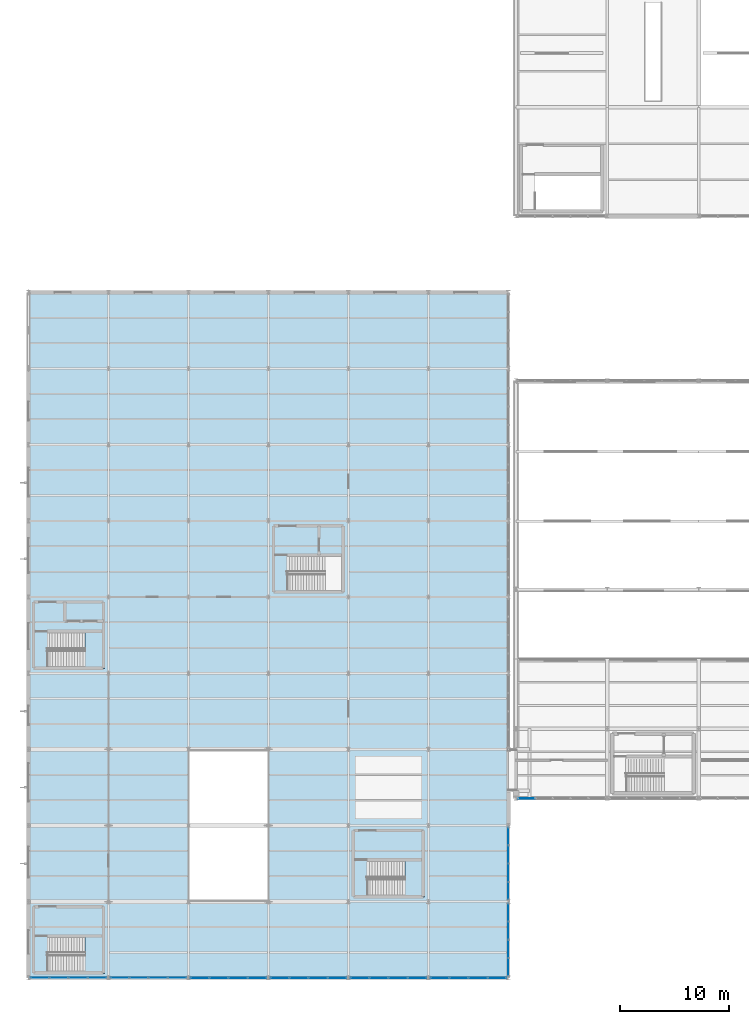
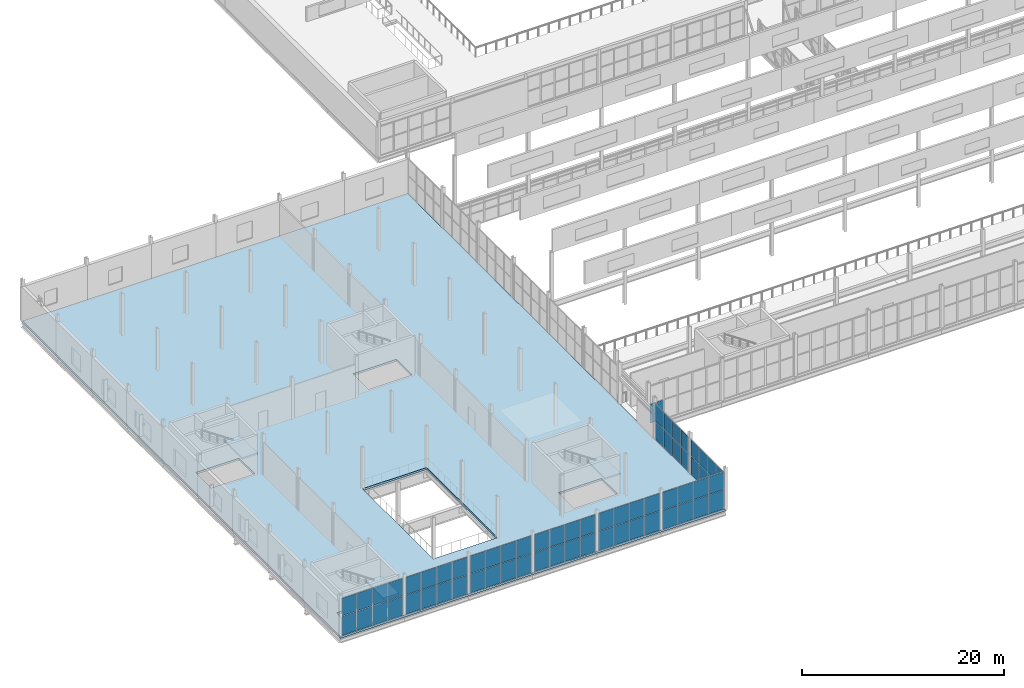
# One storey, part 178 of 218: 65 plates, 4 slabs, 12 elements without a shape of their own.
"""IFC4 building model written with IfcOpenShell, lengths in metres."""

from ifc_helpers import new_model, si_unit, direction, frame, origin, origin_2d, place, context, subcontext, project, spatial, polyline, rectangle, outline, extrude, material, layer, layer_set, type_object, element, aggregate, save


model = new_model("IFC4")

# Units and contexts
model_context = context("Model", 3, precision=1e-05, world=origin(), true_north=direction((0.0, 1.0)))
body_context = subcontext(model_context, "Body", "Model", "MODEL_VIEW")
ifc_project = project(units=[si_unit("LENGTHUNIT", "METRE"), si_unit("AREAUNIT", "SQUARE_METRE"), si_unit("VOLUMEUNIT", "CUBIC_METRE"), si_unit("PLANEANGLEUNIT", "RADIAN"), si_unit("MASSUNIT", "GRAM", prefix="KILO")], contexts=[model_context])

# Site, building, storey
site_placement = place(None, origin())
site = spatial("IfcSite", under=ifc_project, at=site_placement, CompositionType="ELEMENT")
building_placement = place(site_placement, origin())
building = spatial("IfcBuilding", under=site, at=building_placement, Name="Kazenagashi Tramway Depot", CompositionType="ELEMENT")
storey_placement = place(building_placement, frame((0.0, 0.0, 6.0)))
storey = spatial("IfcBuildingStorey", under=building, at=storey_placement, Name="L02", CompositionType="ELEMENT", Elevation=6.0)

# Curtain wall, plates
ifc_material_1 = material(Name="Anodised Aluminium and Low-E Glazing", Category="aluminium")
curtain_wall_type_1 = type_object("IfcCurtainWallType", Name="CW-34", PredefinedType="USERDEFINED", material=ifc_material_1)
curtain_wall_1_placement = place(storey_placement, origin())
curtain_wall_1 = element("IfcCurtainWall", 1, at=curtain_wall_1_placement, inside=storey, type_object=curtain_wall_type_1, Name="Industrial Glazed Screen CW-34 CW-0181", ObjectType="GLAZED SCREEN", PredefinedType="USERDEFINED")
ifc_material_2 = material(Name="Tempered Laminated Low-E Glass", Category="glass")
ifc_layer_1 = layer(ifc_material_2, 0.024)
ifc_layer_set_1 = layer_set([ifc_layer_1], Name="Tempered Laminated Low-E Glass")
plate_type_1 = type_object("IfcPlateType", Name="GL-05", PredefinedType="CURTAIN_PANEL", material=ifc_layer_set_1)
plate_1_placement = place(storey_placement, frame((44.1, 0.995, 0.06), z_axis=(0.0, 0.0, 1.0), x_axis=(0.0, 1.0, 0.0)))
plate_1 = element("IfcPlate", 2, at=plate_1_placement, type_object=plate_type_1, Name="CW-34 panel 1.1", PredefinedType="CURTAIN_PANEL", context=body_context, shape_type="SweptSolid", body=[
    extrude(rectangle(XDim=1.59, YDim=0.024, at=origin_2d()), origin(), (0.0, 0.0, 1.0), 2.178),
])
plate_2_placement = place(storey_placement, frame((44.1, 0.995, 2.298), z_axis=(0.0, 0.0, 1.0), x_axis=(0.0, 1.0, 0.0)))
plate_2 = element("IfcPlate", 3, at=plate_2_placement, type_object=plate_type_1, Name="CW-34 panel 1.2", PredefinedType="CURTAIN_PANEL", context=body_context, shape_type="SweptSolid", body=[
    extrude(rectangle(XDim=1.59, YDim=0.024, at=origin_2d()), origin(), (0.0, 0.0, 1.0), 2.004),
])
plate_3_placement = place(storey_placement, frame((44.1, 2.66, 0.06), z_axis=(0.0, 0.0, 1.0), x_axis=(0.0, 1.0, 0.0)))
plate_3 = element("IfcPlate", 4, at=plate_3_placement, type_object=plate_type_1, Name="CW-34 panel 2.1", PredefinedType="CURTAIN_PANEL", context=body_context, shape_type="SweptSolid", body=[
    extrude(rectangle(XDim=1.62, YDim=0.024, at=origin_2d()), origin(), (0.0, 0.0, 1.0), 2.178),
])
plate_4_placement = place(storey_placement, frame((44.1, 2.66, 2.298), z_axis=(0.0, 0.0, 1.0), x_axis=(0.0, 1.0, 0.0)))
plate_4 = element("IfcPlate", 5, at=plate_4_placement, type_object=plate_type_1, Name="CW-34 panel 2.2", PredefinedType="CURTAIN_PANEL", context=body_context, shape_type="SweptSolid", body=[
    extrude(rectangle(XDim=1.62, YDim=0.024, at=origin_2d()), origin(), (0.0, 0.0, 1.0), 2.004),
])
plate_5_placement = place(storey_placement, frame((44.1, 4.34, 0.06), z_axis=(0.0, 0.0, 1.0), x_axis=(0.0, 1.0, 0.0)))
plate_5 = element("IfcPlate", 6, at=plate_5_placement, type_object=plate_type_1, Name="CW-34 panel 3.1", PredefinedType="CURTAIN_PANEL", context=body_context, shape_type="SweptSolid", body=[
    extrude(rectangle(XDim=1.62, YDim=0.024, at=origin_2d()), origin(), (0.0, 0.0, 1.0), 2.178),
])
plate_6_placement = place(storey_placement, frame((44.1, 4.34, 2.298), z_axis=(0.0, 0.0, 1.0), x_axis=(0.0, 1.0, 0.0)))
plate_6 = element("IfcPlate", 7, at=plate_6_placement, type_object=plate_type_1, Name="CW-34 panel 3.2", PredefinedType="CURTAIN_PANEL", context=body_context, shape_type="SweptSolid", body=[
    extrude(rectangle(XDim=1.62, YDim=0.024, at=origin_2d()), origin(), (0.0, 0.0, 1.0), 2.004),
])
plate_7_placement = place(storey_placement, frame((44.1, 6.005, 0.06), z_axis=(0.0, 0.0, 1.0), x_axis=(0.0, 1.0, 0.0)))
plate_7 = element("IfcPlate", 8, at=plate_7_placement, type_object=plate_type_1, Name="CW-34 panel 4.1", PredefinedType="CURTAIN_PANEL", context=body_context, shape_type="SweptSolid", body=[
    extrude(rectangle(XDim=1.59, YDim=0.024, at=origin_2d()), origin(), (0.0, 0.0, 1.0), 2.178),
])
plate_8_placement = place(storey_placement, frame((44.1, 6.005, 2.298), z_axis=(0.0, 0.0, 1.0), x_axis=(0.0, 1.0, 0.0)))
plate_8 = element("IfcPlate", 9, at=plate_8_placement, type_object=plate_type_1, Name="CW-34 panel 4.2", PredefinedType="CURTAIN_PANEL", context=body_context, shape_type="SweptSolid", body=[
    extrude(rectangle(XDim=1.59, YDim=0.024, at=origin_2d()), origin(), (0.0, 0.0, 1.0), 2.004),
])
aggregate(curtain_wall_1, [plate_1, plate_2, plate_3, plate_4, plate_5, plate_6, plate_7, plate_8])

curtain_wall_type_2 = type_object("IfcCurtainWallType", Name="CW-25", PredefinedType="USERDEFINED", material=ifc_material_1)
curtain_wall_2_placement = place(storey_placement, origin())
curtain_wall_2 = element("IfcCurtainWall", 10, at=curtain_wall_2_placement, inside=storey, type_object=curtain_wall_type_2, Name="Industrial Glazed Screen CW-25 CW-0135", ObjectType="GLAZED SCREEN", PredefinedType="USERDEFINED")
ifc_layer_2 = layer(ifc_material_2, 0.028)
ifc_layer_set_2 = layer_set([ifc_layer_2], Name="Tempered Laminated Low-E Glass")
plate_type_2 = type_object("IfcPlateType", Name="GL-07", PredefinedType="CURTAIN_PANEL", material=ifc_layer_set_2)
plate_9_placement = place(storey_placement, frame((1.03875, 0.0, 0.06), z_axis=(0.0, 0.0, 1.0), x_axis=(1.0, 0.0, 0.0)))
plate_9 = element("IfcPlate", 11, at=plate_9_placement, type_object=plate_type_2, Name="CW-25 panel 1.1", PredefinedType="CURTAIN_PANEL", context=body_context, shape_type="SweptSolid", body=[
    extrude(rectangle(XDim=1.6775, YDim=0.028, at=origin_2d()), origin(), (0.0, 0.0, 1.0), 2.302),
])
plate_10_placement = place(storey_placement, frame((1.03875, 0.0, 2.422), z_axis=(0.0, 0.0, 1.0), x_axis=(1.0, 0.0, 0.0)))
plate_10 = element("IfcPlate", 12, at=plate_10_placement, type_object=plate_type_2, Name="CW-25 panel 1.2", PredefinedType="CURTAIN_PANEL", context=body_context, shape_type="SweptSolid", body=[
    extrude(rectangle(XDim=1.6775, YDim=0.028, at=origin_2d()), origin(), (0.0, 0.0, 1.0), 2.118),
])
plate_11_placement = place(storey_placement, frame((2.79125, 0.0, 0.06), z_axis=(0.0, 0.0, 1.0), x_axis=(1.0, 0.0, 0.0)))
plate_11 = element("IfcPlate", 13, at=plate_11_placement, type_object=plate_type_2, Name="CW-25 panel 2.1", PredefinedType="CURTAIN_PANEL", context=body_context, shape_type="SweptSolid", body=[
    extrude(rectangle(XDim=1.7075, YDim=0.028, at=origin_2d()), origin(), (0.0, 0.0, 1.0), 2.302),
])
plate_12_placement = place(storey_placement, frame((2.79125, 0.0, 2.422), z_axis=(0.0, 0.0, 1.0), x_axis=(1.0, 0.0, 0.0)))
plate_12 = element("IfcPlate", 14, at=plate_12_placement, type_object=plate_type_2, Name="CW-25 panel 2.2", PredefinedType="CURTAIN_PANEL", context=body_context, shape_type="SweptSolid", body=[
    extrude(rectangle(XDim=1.7075, YDim=0.028, at=origin_2d()), origin(), (0.0, 0.0, 1.0), 2.118),
])
plate_13_placement = place(storey_placement, frame((4.55875, 0.0, 0.06), z_axis=(0.0, 0.0, 1.0), x_axis=(1.0, 0.0, 0.0)))
plate_13 = element("IfcPlate", 15, at=plate_13_placement, type_object=plate_type_2, Name="CW-25 panel 3.1", PredefinedType="CURTAIN_PANEL", context=body_context, shape_type="SweptSolid", body=[
    extrude(rectangle(XDim=1.7075, YDim=0.028, at=origin_2d()), origin(), (0.0, 0.0, 1.0), 2.302),
])
plate_14_placement = place(storey_placement, frame((4.55875, 0.0, 2.422), z_axis=(0.0, 0.0, 1.0), x_axis=(1.0, 0.0, 0.0)))
plate_14 = element("IfcPlate", 16, at=plate_14_placement, type_object=plate_type_2, Name="CW-25 panel 3.2", PredefinedType="CURTAIN_PANEL", context=body_context, shape_type="SweptSolid", body=[
    extrude(rectangle(XDim=1.7075, YDim=0.028, at=origin_2d()), origin(), (0.0, 0.0, 1.0), 2.118),
])
plate_15_placement = place(storey_placement, frame((6.31125, 0.0, 0.06), z_axis=(0.0, 0.0, 1.0), x_axis=(1.0, 0.0, 0.0)))
plate_15 = element("IfcPlate", 17, at=plate_15_placement, type_object=plate_type_2, Name="CW-25 panel 4.1", PredefinedType="CURTAIN_PANEL", context=body_context, shape_type="SweptSolid", body=[
    extrude(rectangle(XDim=1.6775, YDim=0.028, at=origin_2d()), origin(), (0.0, 0.0, 1.0), 2.302),
])
plate_16_placement = place(storey_placement, frame((6.31125, 0.0, 2.422), z_axis=(0.0, 0.0, 1.0), x_axis=(1.0, 0.0, 0.0)))
plate_16 = element("IfcPlate", 18, at=plate_16_placement, type_object=plate_type_2, Name="CW-25 panel 4.2", PredefinedType="CURTAIN_PANEL", context=body_context, shape_type="SweptSolid", body=[
    extrude(rectangle(XDim=1.6775, YDim=0.028, at=origin_2d()), origin(), (0.0, 0.0, 1.0), 2.118),
])
aggregate(curtain_wall_2, [plate_9, plate_10, plate_11, plate_12, plate_13, plate_14, plate_15, plate_16])

curtain_wall_3_placement = place(storey_placement, origin())
curtain_wall_3 = element("IfcCurtainWall", 19, at=curtain_wall_3_placement, inside=storey, type_object=curtain_wall_type_1, Name="Industrial Glazed Screen CW-34 CW-0183", ObjectType="GLAZED SCREEN", PredefinedType="USERDEFINED")
plate_17_placement = place(storey_placement, frame((44.1, 7.995, 0.06), z_axis=(0.0, 0.0, 1.0), x_axis=(0.0, 1.0, 0.0)))
plate_17 = element("IfcPlate", 20, at=plate_17_placement, type_object=plate_type_2, Name="CW-34 panel 1.1", PredefinedType="CURTAIN_PANEL", context=body_context, shape_type="SweptSolid", body=[
    extrude(rectangle(XDim=1.59, YDim=0.028, at=origin_2d()), origin(), (0.0, 0.0, 1.0), 2.178),
])
plate_18_placement = place(storey_placement, frame((44.1, 7.995, 2.298), z_axis=(0.0, 0.0, 1.0), x_axis=(0.0, 1.0, 0.0)))
plate_18 = element("IfcPlate", 21, at=plate_18_placement, type_object=plate_type_2, Name="CW-34 panel 1.2", PredefinedType="CURTAIN_PANEL", context=body_context, shape_type="SweptSolid", body=[
    extrude(rectangle(XDim=1.59, YDim=0.028, at=origin_2d()), origin(), (0.0, 0.0, 1.0), 2.004),
])
plate_19_placement = place(storey_placement, frame((44.1, 9.66, 0.06), z_axis=(0.0, 0.0, 1.0), x_axis=(0.0, 1.0, 0.0)))
plate_19 = element("IfcPlate", 22, at=plate_19_placement, type_object=plate_type_2, Name="CW-34 panel 2.1", PredefinedType="CURTAIN_PANEL", context=body_context, shape_type="SweptSolid", body=[
    extrude(rectangle(XDim=1.62, YDim=0.028, at=origin_2d()), origin(), (0.0, 0.0, 1.0), 2.178),
])
plate_20_placement = place(storey_placement, frame((44.1, 9.66, 2.298), z_axis=(0.0, 0.0, 1.0), x_axis=(0.0, 1.0, 0.0)))
plate_20 = element("IfcPlate", 23, at=plate_20_placement, type_object=plate_type_2, Name="CW-34 panel 2.2", PredefinedType="CURTAIN_PANEL", context=body_context, shape_type="SweptSolid", body=[
    extrude(rectangle(XDim=1.62, YDim=0.028, at=origin_2d()), origin(), (0.0, 0.0, 1.0), 2.004),
])
plate_21_placement = place(storey_placement, frame((44.1, 11.34, 0.06), z_axis=(0.0, 0.0, 1.0), x_axis=(0.0, 1.0, 0.0)))
plate_21 = element("IfcPlate", 24, at=plate_21_placement, type_object=plate_type_2, Name="CW-34 panel 3.1", PredefinedType="CURTAIN_PANEL", context=body_context, shape_type="SweptSolid", body=[
    extrude(rectangle(XDim=1.62, YDim=0.028, at=origin_2d()), origin(), (0.0, 0.0, 1.0), 2.178),
])
plate_22_placement = place(storey_placement, frame((44.1, 11.34, 2.298), z_axis=(0.0, 0.0, 1.0), x_axis=(0.0, 1.0, 0.0)))
plate_22 = element("IfcPlate", 25, at=plate_22_placement, type_object=plate_type_2, Name="CW-34 panel 3.2", PredefinedType="CURTAIN_PANEL", context=body_context, shape_type="SweptSolid", body=[
    extrude(rectangle(XDim=1.62, YDim=0.028, at=origin_2d()), origin(), (0.0, 0.0, 1.0), 2.004),
])
plate_23_placement = place(storey_placement, frame((44.1, 13.005, 0.06), z_axis=(0.0, 0.0, 1.0), x_axis=(0.0, 1.0, 0.0)))
plate_23 = element("IfcPlate", 26, at=plate_23_placement, type_object=plate_type_2, Name="CW-34 panel 4.1", PredefinedType="CURTAIN_PANEL", context=body_context, shape_type="SweptSolid", body=[
    extrude(rectangle(XDim=1.59, YDim=0.028, at=origin_2d()), origin(), (0.0, 0.0, 1.0), 2.178),
])
plate_24_placement = place(storey_placement, frame((44.1, 13.005, 2.298), z_axis=(0.0, 0.0, 1.0), x_axis=(0.0, 1.0, 0.0)))
plate_24 = element("IfcPlate", 27, at=plate_24_placement, type_object=plate_type_2, Name="CW-34 panel 4.2", PredefinedType="CURTAIN_PANEL", context=body_context, shape_type="SweptSolid", body=[
    extrude(rectangle(XDim=1.59, YDim=0.028, at=origin_2d()), origin(), (0.0, 0.0, 1.0), 2.004),
])
aggregate(curtain_wall_3, [plate_17, plate_18, plate_19, plate_20, plate_21, plate_22, plate_23, plate_24])

curtain_wall_4_placement = place(storey_placement, origin())
curtain_wall_4 = element("IfcCurtainWall", 28, at=curtain_wall_4_placement, inside=storey, type_object=curtain_wall_type_2, Name="Industrial Glazed Screen CW-25 CW-0136", ObjectType="GLAZED SCREEN", PredefinedType="USERDEFINED")
ifc_layer_3 = layer(ifc_material_2, 0.03)
ifc_layer_set_3 = layer_set([ifc_layer_3], Name="Tempered Laminated Low-E Glass")
plate_type_3 = type_object("IfcPlateType", Name="GL-08", PredefinedType="CURTAIN_PANEL", material=ifc_layer_set_3)
plate_25_placement = place(storey_placement, frame((8.38875, 0.0, 0.06), z_axis=(0.0, 0.0, 1.0), x_axis=(1.0, 0.0, 0.0)))
plate_25 = element("IfcPlate", 29, at=plate_25_placement, type_object=plate_type_3, Name="CW-25 panel 1.1", PredefinedType="CURTAIN_PANEL", context=body_context, shape_type="SweptSolid", body=[
    extrude(rectangle(XDim=1.6775, YDim=0.03, at=origin_2d()), origin(), (0.0, 0.0, 1.0), 2.302),
])
plate_26_placement = place(storey_placement, frame((8.38875, 0.0, 2.422), z_axis=(0.0, 0.0, 1.0), x_axis=(1.0, 0.0, 0.0)))
plate_26 = element("IfcPlate", 30, at=plate_26_placement, type_object=plate_type_3, Name="CW-25 panel 1.2", PredefinedType="CURTAIN_PANEL", context=body_context, shape_type="SweptSolid", body=[
    extrude(rectangle(XDim=1.6775, YDim=0.03, at=origin_2d()), origin(), (0.0, 0.0, 1.0), 2.118),
])
plate_27_placement = place(storey_placement, frame((10.14125, 0.0, 0.06), z_axis=(0.0, 0.0, 1.0), x_axis=(1.0, 0.0, 0.0)))
plate_27 = element("IfcPlate", 31, at=plate_27_placement, type_object=plate_type_3, Name="CW-25 panel 2.1", PredefinedType="CURTAIN_PANEL", context=body_context, shape_type="SweptSolid", body=[
    extrude(rectangle(XDim=1.7075, YDim=0.03, at=origin_2d()), origin(), (0.0, 0.0, 1.0), 2.302),
])
plate_28_placement = place(storey_placement, frame((10.14125, 0.0, 2.422), z_axis=(0.0, 0.0, 1.0), x_axis=(1.0, 0.0, 0.0)))
plate_28 = element("IfcPlate", 32, at=plate_28_placement, type_object=plate_type_3, Name="CW-25 panel 2.2", PredefinedType="CURTAIN_PANEL", context=body_context, shape_type="SweptSolid", body=[
    extrude(rectangle(XDim=1.7075, YDim=0.03, at=origin_2d()), origin(), (0.0, 0.0, 1.0), 2.118),
])
plate_29_placement = place(storey_placement, frame((11.90875, 0.0, 0.06), z_axis=(0.0, 0.0, 1.0), x_axis=(1.0, 0.0, 0.0)))
plate_29 = element("IfcPlate", 33, at=plate_29_placement, type_object=plate_type_3, Name="CW-25 panel 3.1", PredefinedType="CURTAIN_PANEL", context=body_context, shape_type="SweptSolid", body=[
    extrude(rectangle(XDim=1.7075, YDim=0.03, at=origin_2d()), origin(), (0.0, 0.0, 1.0), 2.302),
])
plate_30_placement = place(storey_placement, frame((11.90875, 0.0, 2.422), z_axis=(0.0, 0.0, 1.0), x_axis=(1.0, 0.0, 0.0)))
plate_30 = element("IfcPlate", 34, at=plate_30_placement, type_object=plate_type_3, Name="CW-25 panel 3.2", PredefinedType="CURTAIN_PANEL", context=body_context, shape_type="SweptSolid", body=[
    extrude(rectangle(XDim=1.7075, YDim=0.03, at=origin_2d()), origin(), (0.0, 0.0, 1.0), 2.118),
])
plate_31_placement = place(storey_placement, frame((13.66125, 0.0, 0.06), z_axis=(0.0, 0.0, 1.0), x_axis=(1.0, 0.0, 0.0)))
plate_31 = element("IfcPlate", 35, at=plate_31_placement, type_object=plate_type_3, Name="CW-25 panel 4.1", PredefinedType="CURTAIN_PANEL", context=body_context, shape_type="SweptSolid", body=[
    extrude(rectangle(XDim=1.6775, YDim=0.03, at=origin_2d()), origin(), (0.0, 0.0, 1.0), 2.302),
])
plate_32_placement = place(storey_placement, frame((13.66125, 0.0, 2.422), z_axis=(0.0, 0.0, 1.0), x_axis=(1.0, 0.0, 0.0)))
plate_32 = element("IfcPlate", 36, at=plate_32_placement, type_object=plate_type_3, Name="CW-25 panel 4.2", PredefinedType="CURTAIN_PANEL", context=body_context, shape_type="SweptSolid", body=[
    extrude(rectangle(XDim=1.6775, YDim=0.03, at=origin_2d()), origin(), (0.0, 0.0, 1.0), 2.118),
])
aggregate(curtain_wall_4, [plate_25, plate_26, plate_27, plate_28, plate_29, plate_30, plate_31, plate_32])

curtain_wall_5_placement = place(storey_placement, origin())
curtain_wall_5 = element("IfcCurtainWall", 37, at=curtain_wall_5_placement, inside=storey, type_object=curtain_wall_type_2, Name="Industrial Glazed Screen CW-25 CW-0138", ObjectType="GLAZED SCREEN", PredefinedType="USERDEFINED")
ifc_layer_4 = layer(ifc_material_2, 0.034)
ifc_layer_set_4 = layer_set([ifc_layer_4], Name="Tempered Laminated Low-E Glass")
plate_type_4 = type_object("IfcPlateType", Name="GL-10", PredefinedType="CURTAIN_PANEL", material=ifc_layer_set_4)
plate_33_placement = place(storey_placement, frame((15.73875, 0.0, 0.06), z_axis=(0.0, 0.0, 1.0), x_axis=(1.0, 0.0, 0.0)))
plate_33 = element("IfcPlate", 38, at=plate_33_placement, type_object=plate_type_4, Name="CW-25 panel 1.1", PredefinedType="CURTAIN_PANEL", context=body_context, shape_type="SweptSolid", body=[
    extrude(rectangle(XDim=1.6775, YDim=0.034, at=origin_2d()), origin(), (0.0, 0.0, 1.0), 2.302),
])
plate_34_placement = place(storey_placement, frame((15.73875, 0.0, 2.422), z_axis=(0.0, 0.0, 1.0), x_axis=(1.0, 0.0, 0.0)))
plate_34 = element("IfcPlate", 39, at=plate_34_placement, type_object=plate_type_4, Name="CW-25 panel 1.2", PredefinedType="CURTAIN_PANEL", context=body_context, shape_type="SweptSolid", body=[
    extrude(rectangle(XDim=1.6775, YDim=0.034, at=origin_2d()), origin(), (0.0, 0.0, 1.0), 2.118),
])
plate_35_placement = place(storey_placement, frame((17.49125, 0.0, 0.06), z_axis=(0.0, 0.0, 1.0), x_axis=(1.0, 0.0, 0.0)))
plate_35 = element("IfcPlate", 40, at=plate_35_placement, type_object=plate_type_4, Name="CW-25 panel 2.1", PredefinedType="CURTAIN_PANEL", context=body_context, shape_type="SweptSolid", body=[
    extrude(rectangle(XDim=1.7075, YDim=0.034, at=origin_2d()), origin(), (0.0, 0.0, 1.0), 2.302),
])
plate_36_placement = place(storey_placement, frame((17.49125, 0.0, 2.422), z_axis=(0.0, 0.0, 1.0), x_axis=(1.0, 0.0, 0.0)))
plate_36 = element("IfcPlate", 41, at=plate_36_placement, type_object=plate_type_4, Name="CW-25 panel 2.2", PredefinedType="CURTAIN_PANEL", context=body_context, shape_type="SweptSolid", body=[
    extrude(rectangle(XDim=1.7075, YDim=0.034, at=origin_2d()), origin(), (0.0, 0.0, 1.0), 2.118),
])
plate_37_placement = place(storey_placement, frame((19.25875, 0.0, 0.06), z_axis=(0.0, 0.0, 1.0), x_axis=(1.0, 0.0, 0.0)))
plate_37 = element("IfcPlate", 42, at=plate_37_placement, type_object=plate_type_4, Name="CW-25 panel 3.1", PredefinedType="CURTAIN_PANEL", context=body_context, shape_type="SweptSolid", body=[
    extrude(rectangle(XDim=1.7075, YDim=0.034, at=origin_2d()), origin(), (0.0, 0.0, 1.0), 2.302),
])
plate_38_placement = place(storey_placement, frame((19.25875, 0.0, 2.422), z_axis=(0.0, 0.0, 1.0), x_axis=(1.0, 0.0, 0.0)))
plate_38 = element("IfcPlate", 43, at=plate_38_placement, type_object=plate_type_4, Name="CW-25 panel 3.2", PredefinedType="CURTAIN_PANEL", context=body_context, shape_type="SweptSolid", body=[
    extrude(rectangle(XDim=1.7075, YDim=0.034, at=origin_2d()), origin(), (0.0, 0.0, 1.0), 2.118),
])
plate_39_placement = place(storey_placement, frame((21.01125, 0.0, 0.06), z_axis=(0.0, 0.0, 1.0), x_axis=(1.0, 0.0, 0.0)))
plate_39 = element("IfcPlate", 44, at=plate_39_placement, type_object=plate_type_4, Name="CW-25 panel 4.1", PredefinedType="CURTAIN_PANEL", context=body_context, shape_type="SweptSolid", body=[
    extrude(rectangle(XDim=1.6775, YDim=0.034, at=origin_2d()), origin(), (0.0, 0.0, 1.0), 2.302),
])
plate_40_placement = place(storey_placement, frame((21.01125, 0.0, 2.422), z_axis=(0.0, 0.0, 1.0), x_axis=(1.0, 0.0, 0.0)))
plate_40 = element("IfcPlate", 45, at=plate_40_placement, type_object=plate_type_4, Name="CW-25 panel 4.2", PredefinedType="CURTAIN_PANEL", context=body_context, shape_type="SweptSolid", body=[
    extrude(rectangle(XDim=1.6775, YDim=0.034, at=origin_2d()), origin(), (0.0, 0.0, 1.0), 2.118),
])
aggregate(curtain_wall_5, [plate_33, plate_34, plate_35, plate_36, plate_37, plate_38, plate_39, plate_40])

curtain_wall_6_placement = place(storey_placement, origin())
curtain_wall_6 = element("IfcCurtainWall", 46, at=curtain_wall_6_placement, inside=storey, type_object=curtain_wall_type_2, Name="Industrial Glazed Screen CW-25 CW-0140", ObjectType="GLAZED SCREEN", PredefinedType="USERDEFINED")
ifc_layer_5 = layer(ifc_material_2, 0.038)
ifc_layer_set_5 = layer_set([ifc_layer_5], Name="Tempered Laminated Low-E Glass")
plate_type_5 = type_object("IfcPlateType", Name="GL-12", PredefinedType="CURTAIN_PANEL", material=ifc_layer_set_5)
plate_41_placement = place(storey_placement, frame((23.08875, 0.0, 0.06), z_axis=(0.0, 0.0, 1.0), x_axis=(1.0, 0.0, 0.0)))
plate_41 = element("IfcPlate", 47, at=plate_41_placement, type_object=plate_type_5, Name="CW-25 panel 1.1", PredefinedType="CURTAIN_PANEL", context=body_context, shape_type="SweptSolid", body=[
    extrude(rectangle(XDim=1.6775, YDim=0.038, at=origin_2d()), origin(), (0.0, 0.0, 1.0), 2.302),
])
plate_42_placement = place(storey_placement, frame((23.08875, 0.0, 2.422), z_axis=(0.0, 0.0, 1.0), x_axis=(1.0, 0.0, 0.0)))
plate_42 = element("IfcPlate", 48, at=plate_42_placement, type_object=plate_type_5, Name="CW-25 panel 1.2", PredefinedType="CURTAIN_PANEL", context=body_context, shape_type="SweptSolid", body=[
    extrude(rectangle(XDim=1.6775, YDim=0.038, at=origin_2d()), origin(), (0.0, 0.0, 1.0), 2.118),
])
plate_43_placement = place(storey_placement, frame((24.84125, 0.0, 0.06), z_axis=(0.0, 0.0, 1.0), x_axis=(1.0, 0.0, 0.0)))
plate_43 = element("IfcPlate", 49, at=plate_43_placement, type_object=plate_type_5, Name="CW-25 panel 2.1", PredefinedType="CURTAIN_PANEL", context=body_context, shape_type="SweptSolid", body=[
    extrude(rectangle(XDim=1.7075, YDim=0.038, at=origin_2d()), origin(), (0.0, 0.0, 1.0), 2.302),
])
plate_44_placement = place(storey_placement, frame((24.84125, 0.0, 2.422), z_axis=(0.0, 0.0, 1.0), x_axis=(1.0, 0.0, 0.0)))
plate_44 = element("IfcPlate", 50, at=plate_44_placement, type_object=plate_type_5, Name="CW-25 panel 2.2", PredefinedType="CURTAIN_PANEL", context=body_context, shape_type="SweptSolid", body=[
    extrude(rectangle(XDim=1.7075, YDim=0.038, at=origin_2d()), origin(), (0.0, 0.0, 1.0), 2.118),
])
plate_45_placement = place(storey_placement, frame((26.60875, 0.0, 0.06), z_axis=(0.0, 0.0, 1.0), x_axis=(1.0, 0.0, 0.0)))
plate_45 = element("IfcPlate", 51, at=plate_45_placement, type_object=plate_type_5, Name="CW-25 panel 3.1", PredefinedType="CURTAIN_PANEL", context=body_context, shape_type="SweptSolid", body=[
    extrude(rectangle(XDim=1.7075, YDim=0.038, at=origin_2d()), origin(), (0.0, 0.0, 1.0), 2.302),
])
plate_46_placement = place(storey_placement, frame((26.60875, 0.0, 2.422), z_axis=(0.0, 0.0, 1.0), x_axis=(1.0, 0.0, 0.0)))
plate_46 = element("IfcPlate", 52, at=plate_46_placement, type_object=plate_type_5, Name="CW-25 panel 3.2", PredefinedType="CURTAIN_PANEL", context=body_context, shape_type="SweptSolid", body=[
    extrude(rectangle(XDim=1.7075, YDim=0.038, at=origin_2d()), origin(), (0.0, 0.0, 1.0), 2.118),
])
plate_47_placement = place(storey_placement, frame((28.36125, 0.0, 0.06), z_axis=(0.0, 0.0, 1.0), x_axis=(1.0, 0.0, 0.0)))
plate_47 = element("IfcPlate", 53, at=plate_47_placement, type_object=plate_type_5, Name="CW-25 panel 4.1", PredefinedType="CURTAIN_PANEL", context=body_context, shape_type="SweptSolid", body=[
    extrude(rectangle(XDim=1.6775, YDim=0.038, at=origin_2d()), origin(), (0.0, 0.0, 1.0), 2.302),
])
plate_48_placement = place(storey_placement, frame((28.36125, 0.0, 2.422), z_axis=(0.0, 0.0, 1.0), x_axis=(1.0, 0.0, 0.0)))
plate_48 = element("IfcPlate", 54, at=plate_48_placement, type_object=plate_type_5, Name="CW-25 panel 4.2", PredefinedType="CURTAIN_PANEL", context=body_context, shape_type="SweptSolid", body=[
    extrude(rectangle(XDim=1.6775, YDim=0.038, at=origin_2d()), origin(), (0.0, 0.0, 1.0), 2.118),
])
aggregate(curtain_wall_6, [plate_41, plate_42, plate_43, plate_44, plate_45, plate_46, plate_47, plate_48])

curtain_wall_7_placement = place(storey_placement, origin())
curtain_wall_7 = element("IfcCurtainWall", 55, at=curtain_wall_7_placement, inside=storey, type_object=curtain_wall_type_2, Name="Industrial Glazed Screen CW-25 CW-0141", ObjectType="GLAZED SCREEN", PredefinedType="USERDEFINED")
ifc_layer_6 = layer(ifc_material_2, 0.04)
ifc_layer_set_6 = layer_set([ifc_layer_6], Name="Tempered Laminated Low-E Glass")
plate_type_6 = type_object("IfcPlateType", Name="GL-13", PredefinedType="CURTAIN_PANEL", material=ifc_layer_set_6)
plate_49_placement = place(storey_placement, frame((30.43875, 0.0, 0.06), z_axis=(0.0, 0.0, 1.0), x_axis=(1.0, 0.0, 0.0)))
plate_49 = element("IfcPlate", 56, at=plate_49_placement, type_object=plate_type_6, Name="CW-25 panel 1.1", PredefinedType="CURTAIN_PANEL", context=body_context, shape_type="SweptSolid", body=[
    extrude(rectangle(XDim=1.6775, YDim=0.04, at=origin_2d()), origin(), (0.0, 0.0, 1.0), 2.302),
])
plate_50_placement = place(storey_placement, frame((30.43875, 0.0, 2.422), z_axis=(0.0, 0.0, 1.0), x_axis=(1.0, 0.0, 0.0)))
plate_50 = element("IfcPlate", 57, at=plate_50_placement, type_object=plate_type_6, Name="CW-25 panel 1.2", PredefinedType="CURTAIN_PANEL", context=body_context, shape_type="SweptSolid", body=[
    extrude(rectangle(XDim=1.6775, YDim=0.04, at=origin_2d()), origin(), (0.0, 0.0, 1.0), 2.118),
])
plate_51_placement = place(storey_placement, frame((32.19125, 0.0, 0.06), z_axis=(0.0, 0.0, 1.0), x_axis=(1.0, 0.0, 0.0)))
plate_51 = element("IfcPlate", 58, at=plate_51_placement, type_object=plate_type_6, Name="CW-25 panel 2.1", PredefinedType="CURTAIN_PANEL", context=body_context, shape_type="SweptSolid", body=[
    extrude(rectangle(XDim=1.7075, YDim=0.04, at=origin_2d()), origin(), (0.0, 0.0, 1.0), 2.302),
])
plate_52_placement = place(storey_placement, frame((32.19125, 0.0, 2.422), z_axis=(0.0, 0.0, 1.0), x_axis=(1.0, 0.0, 0.0)))
plate_52 = element("IfcPlate", 59, at=plate_52_placement, type_object=plate_type_6, Name="CW-25 panel 2.2", PredefinedType="CURTAIN_PANEL", context=body_context, shape_type="SweptSolid", body=[
    extrude(rectangle(XDim=1.7075, YDim=0.04, at=origin_2d()), origin(), (0.0, 0.0, 1.0), 2.118),
])
plate_53_placement = place(storey_placement, frame((33.95875, 0.0, 0.06), z_axis=(0.0, 0.0, 1.0), x_axis=(1.0, 0.0, 0.0)))
plate_53 = element("IfcPlate", 60, at=plate_53_placement, type_object=plate_type_6, Name="CW-25 panel 3.1", PredefinedType="CURTAIN_PANEL", context=body_context, shape_type="SweptSolid", body=[
    extrude(rectangle(XDim=1.7075, YDim=0.04, at=origin_2d()), origin(), (0.0, 0.0, 1.0), 2.302),
])
plate_54_placement = place(storey_placement, frame((33.95875, 0.0, 2.422), z_axis=(0.0, 0.0, 1.0), x_axis=(1.0, 0.0, 0.0)))
plate_54 = element("IfcPlate", 61, at=plate_54_placement, type_object=plate_type_6, Name="CW-25 panel 3.2", PredefinedType="CURTAIN_PANEL", context=body_context, shape_type="SweptSolid", body=[
    extrude(rectangle(XDim=1.7075, YDim=0.04, at=origin_2d()), origin(), (0.0, 0.0, 1.0), 2.118),
])
plate_55_placement = place(storey_placement, frame((35.71125, 0.0, 0.06), z_axis=(0.0, 0.0, 1.0), x_axis=(1.0, 0.0, 0.0)))
plate_55 = element("IfcPlate", 62, at=plate_55_placement, type_object=plate_type_6, Name="CW-25 panel 4.1", PredefinedType="CURTAIN_PANEL", context=body_context, shape_type="SweptSolid", body=[
    extrude(rectangle(XDim=1.6775, YDim=0.04, at=origin_2d()), origin(), (0.0, 0.0, 1.0), 2.302),
])
plate_56_placement = place(storey_placement, frame((35.71125, 0.0, 2.422), z_axis=(0.0, 0.0, 1.0), x_axis=(1.0, 0.0, 0.0)))
plate_56 = element("IfcPlate", 63, at=plate_56_placement, type_object=plate_type_6, Name="CW-25 panel 4.2", PredefinedType="CURTAIN_PANEL", context=body_context, shape_type="SweptSolid", body=[
    extrude(rectangle(XDim=1.6775, YDim=0.04, at=origin_2d()), origin(), (0.0, 0.0, 1.0), 2.118),
])
aggregate(curtain_wall_7, [plate_49, plate_50, plate_51, plate_52, plate_53, plate_54, plate_55, plate_56])

# Curtain wall, plate
curtain_wall_type_3 = type_object("IfcCurtainWallType", Name="CW-20", PredefinedType="USERDEFINED", material=ifc_material_1)
curtain_wall_8_placement = place(storey_placement, origin())
curtain_wall_8 = element("IfcCurtainWall", 64, at=curtain_wall_8_placement, inside=storey, type_object=curtain_wall_type_3, Name="Industrial Glazed Screen CW-20 CW-0095", ObjectType="GLAZED SCREEN", PredefinedType="USERDEFINED")
ifc_layer_7 = layer(ifc_material_2, 0.044)
ifc_layer_set_7 = layer_set([ifc_layer_7], Name="Tempered Laminated Low-E Glass")
plate_type_7 = type_object("IfcPlateType", Name="GL-15", PredefinedType="CURTAIN_PANEL", material=ifc_layer_set_7)
plate_57_placement = place(storey_placement, frame((45.767, 16.5, 0.06), z_axis=(0.0, 0.0, 1.0), x_axis=(1.0, 0.0, 0.0)))
plate_57 = element("IfcPlate", 65, at=plate_57_placement, type_object=plate_type_7, Name="CW-20 panel 1.1", PredefinedType="CURTAIN_PANEL", context=body_context, shape_type="SweptSolid", body=[
    extrude(rectangle(XDim=1.534, YDim=0.044, at=origin_2d()), origin(), (0.0, 0.0, 1.0), 2.302),
])
aggregate(curtain_wall_8, [plate_57])

# Curtain wall, plates
curtain_wall_9_placement = place(storey_placement, origin())
curtain_wall_9 = element("IfcCurtainWall", 66, at=curtain_wall_9_placement, inside=storey, type_object=curtain_wall_type_2, Name="Industrial Glazed Screen CW-25 CW-0143", ObjectType="GLAZED SCREEN", PredefinedType="USERDEFINED")
plate_58_placement = place(storey_placement, frame((37.78875, 0.0, 0.06), z_axis=(0.0, 0.0, 1.0), x_axis=(1.0, 0.0, 0.0)))
plate_58 = element("IfcPlate", 67, at=plate_58_placement, type_object=plate_type_7, Name="CW-25 panel 1.1", PredefinedType="CURTAIN_PANEL", context=body_context, shape_type="SweptSolid", body=[
    extrude(rectangle(XDim=1.6775, YDim=0.044, at=origin_2d()), origin(), (0.0, 0.0, 1.0), 2.302),
])
plate_59_placement = place(storey_placement, frame((37.78875, 0.0, 2.422), z_axis=(0.0, 0.0, 1.0), x_axis=(1.0, 0.0, 0.0)))
plate_59 = element("IfcPlate", 68, at=plate_59_placement, type_object=plate_type_7, Name="CW-25 panel 1.2", PredefinedType="CURTAIN_PANEL", context=body_context, shape_type="SweptSolid", body=[
    extrude(rectangle(XDim=1.6775, YDim=0.044, at=origin_2d()), origin(), (0.0, 0.0, 1.0), 2.118),
])
plate_60_placement = place(storey_placement, frame((39.54125, 0.0, 0.06), z_axis=(0.0, 0.0, 1.0), x_axis=(1.0, 0.0, 0.0)))
plate_60 = element("IfcPlate", 69, at=plate_60_placement, type_object=plate_type_7, Name="CW-25 panel 2.1", PredefinedType="CURTAIN_PANEL", context=body_context, shape_type="SweptSolid", body=[
    extrude(rectangle(XDim=1.7075, YDim=0.044, at=origin_2d()), origin(), (0.0, 0.0, 1.0), 2.302),
])
plate_61_placement = place(storey_placement, frame((39.54125, 0.0, 2.422), z_axis=(0.0, 0.0, 1.0), x_axis=(1.0, 0.0, 0.0)))
plate_61 = element("IfcPlate", 70, at=plate_61_placement, type_object=plate_type_7, Name="CW-25 panel 2.2", PredefinedType="CURTAIN_PANEL", context=body_context, shape_type="SweptSolid", body=[
    extrude(rectangle(XDim=1.7075, YDim=0.044, at=origin_2d()), origin(), (0.0, 0.0, 1.0), 2.118),
])
plate_62_placement = place(storey_placement, frame((41.30875, 0.0, 0.06), z_axis=(0.0, 0.0, 1.0), x_axis=(1.0, 0.0, 0.0)))
plate_62 = element("IfcPlate", 71, at=plate_62_placement, type_object=plate_type_7, Name="CW-25 panel 3.1", PredefinedType="CURTAIN_PANEL", context=body_context, shape_type="SweptSolid", body=[
    extrude(rectangle(XDim=1.7075, YDim=0.044, at=origin_2d()), origin(), (0.0, 0.0, 1.0), 2.302),
])
plate_63_placement = place(storey_placement, frame((41.30875, 0.0, 2.422), z_axis=(0.0, 0.0, 1.0), x_axis=(1.0, 0.0, 0.0)))
plate_63 = element("IfcPlate", 72, at=plate_63_placement, type_object=plate_type_7, Name="CW-25 panel 3.2", PredefinedType="CURTAIN_PANEL", context=body_context, shape_type="SweptSolid", body=[
    extrude(rectangle(XDim=1.7075, YDim=0.044, at=origin_2d()), origin(), (0.0, 0.0, 1.0), 2.118),
])
plate_64_placement = place(storey_placement, frame((43.06125, 0.0, 0.06), z_axis=(0.0, 0.0, 1.0), x_axis=(1.0, 0.0, 0.0)))
plate_64 = element("IfcPlate", 73, at=plate_64_placement, type_object=plate_type_7, Name="CW-25 panel 4.1", PredefinedType="CURTAIN_PANEL", context=body_context, shape_type="SweptSolid", body=[
    extrude(rectangle(XDim=1.6775, YDim=0.044, at=origin_2d()), origin(), (0.0, 0.0, 1.0), 2.302),
])
plate_65_placement = place(storey_placement, frame((43.06125, 0.0, 2.422), z_axis=(0.0, 0.0, 1.0), x_axis=(1.0, 0.0, 0.0)))
plate_65 = element("IfcPlate", 74, at=plate_65_placement, type_object=plate_type_7, Name="CW-25 panel 4.2", PredefinedType="CURTAIN_PANEL", context=body_context, shape_type="SweptSolid", body=[
    extrude(rectangle(XDim=1.6775, YDim=0.044, at=origin_2d()), origin(), (0.0, 0.0, 1.0), 2.118),
])
aggregate(curtain_wall_9, [plate_58, plate_59, plate_60, plate_61, plate_62, plate_63, plate_64, plate_65])

# Slab
ifc_material_3 = material(Name="Concrete Fc36", Category="concrete")
ifc_layer_8 = layer(ifc_material_3, 0.25)
ifc_layer_set_8 = layer_set([ifc_layer_8], Name="Concrete Fc36")
slab_type_1 = type_object("IfcSlabType", Name="SL-04", PredefinedType="FLOOR", material=ifc_layer_set_8)
slab_1_placement = place(storey_placement, frame((0.0, 0.0, -0.25)))
element("IfcSlab", 75, at=slab_1_placement, inside=storey, type_object=slab_type_1, Name="Civic Wing L02 Slab SLAB-072", PredefinedType="FLOOR", context=body_context, shape_type="SweptSolid", body=[
    extrude(outline(polyline([(0.0, 63.0), (44.1, 63.0), (44.1, 0.0), (0.0, 0.0), (0.0, 63.0)]), holes=[polyline([(22.05, 7.0), (22.05, 21.0), (14.7, 21.0), (14.7, 7.0), (22.05, 7.0)]), polyline([(1.76, 0.61), (6.74, 0.61), (6.74, 3.7), (1.76, 3.7), (1.76, 0.61)]), polyline([(31.16, 7.61), (36.14, 7.61), (36.14, 10.7), (31.16, 10.7), (31.16, 7.61)]), polyline([(1.76, 28.61), (6.74, 28.61), (6.74, 31.7), (1.76, 31.7), (1.76, 28.61)]), polyline([(23.81, 35.61), (28.79, 35.61), (28.79, 38.7), (23.81, 38.7), (23.81, 35.61)])]), origin(), (0.0, 0.0, 1.0), 0.25),
])

# Stair, slab
stair_type_1 = type_object("IfcStairType", Name="ST-T3", PredefinedType="USERDEFINED", material=ifc_material_3)
stair_1_placement = place(storey_placement, origin())
stair_1 = element("IfcStair", 76, at=stair_1_placement, inside=storey, type_object=stair_type_1, Name="Enclosed Escape Stair ST-02", ObjectType="TWO_RETURN_STAIR", PredefinedType="USERDEFINED")
ifc_layer_9 = layer(ifc_material_3, 0.195)
ifc_layer_set_9 = layer_set([ifc_layer_9], Name="Concrete Fc36")
slab_type_2 = type_object("IfcSlabType", Name="SL-LD1", PredefinedType="LANDING", material=ifc_layer_set_9)
slab_2_placement = place(storey_placement, frame((0.0, 0.0, 2.355)))
slab_2 = element("IfcSlab", 77, at=slab_2_placement, type_object=slab_type_2, Name="ST-02 landing 1", PredefinedType="LANDING", context=body_context, shape_type="SweptSolid", body=[
    extrude(outline(polyline([(5.208, 28.41), (6.99, 28.41), (6.99, 31.9), (5.208, 31.9), (5.208, 28.41)])), origin(), (0.0, 0.0, 1.0), 0.195),
])
aggregate(stair_1, [slab_2])

stair_2_placement = place(storey_placement, origin())
stair_2 = element("IfcStair", 78, at=stair_2_placement, inside=storey, type_object=stair_type_1, Name="Enclosed Escape Stair ST-10", ObjectType="TWO_RETURN_STAIR", PredefinedType="USERDEFINED")
slab_3_placement = place(storey_placement, frame((0.0, 0.0, 2.355)))
slab_3 = element("IfcSlab", 79, at=slab_3_placement, type_object=slab_type_2, Name="ST-10 landing 1", PredefinedType="LANDING", context=body_context, shape_type="SweptSolid", body=[
    extrude(outline(polyline([(34.608, 7.41), (36.39, 7.41), (36.39, 10.9), (34.608, 10.9), (34.608, 7.41)])), origin(), (0.0, 0.0, 1.0), 0.195),
])
aggregate(stair_2, [slab_3])

stair_type_2 = type_object("IfcStairType", Name="ST-T6", PredefinedType="USERDEFINED", material=ifc_material_3)
stair_3_placement = place(storey_placement, origin())
stair_3 = element("IfcStair", 80, at=stair_3_placement, inside=storey, type_object=stair_type_2, Name="Enclosed Escape Stair ST-13", ObjectType="TWO_RETURN_STAIR", PredefinedType="USERDEFINED")
slab_4_placement = place(storey_placement, frame((0.0, 0.0, 2.355)))
slab_4 = element("IfcSlab", 81, at=slab_4_placement, type_object=slab_type_2, Name="ST-13 landing 1", PredefinedType="LANDING", context=body_context, shape_type="SweptSolid", body=[
    extrude(outline(polyline([(5.208, 0.41), (6.99, 0.41), (6.99, 3.9), (5.208, 3.9), (5.208, 0.41)])), origin(), (0.0, 0.0, 1.0), 0.195),
])
aggregate(stair_3, [slab_4])

save(model, "model.ifc")
